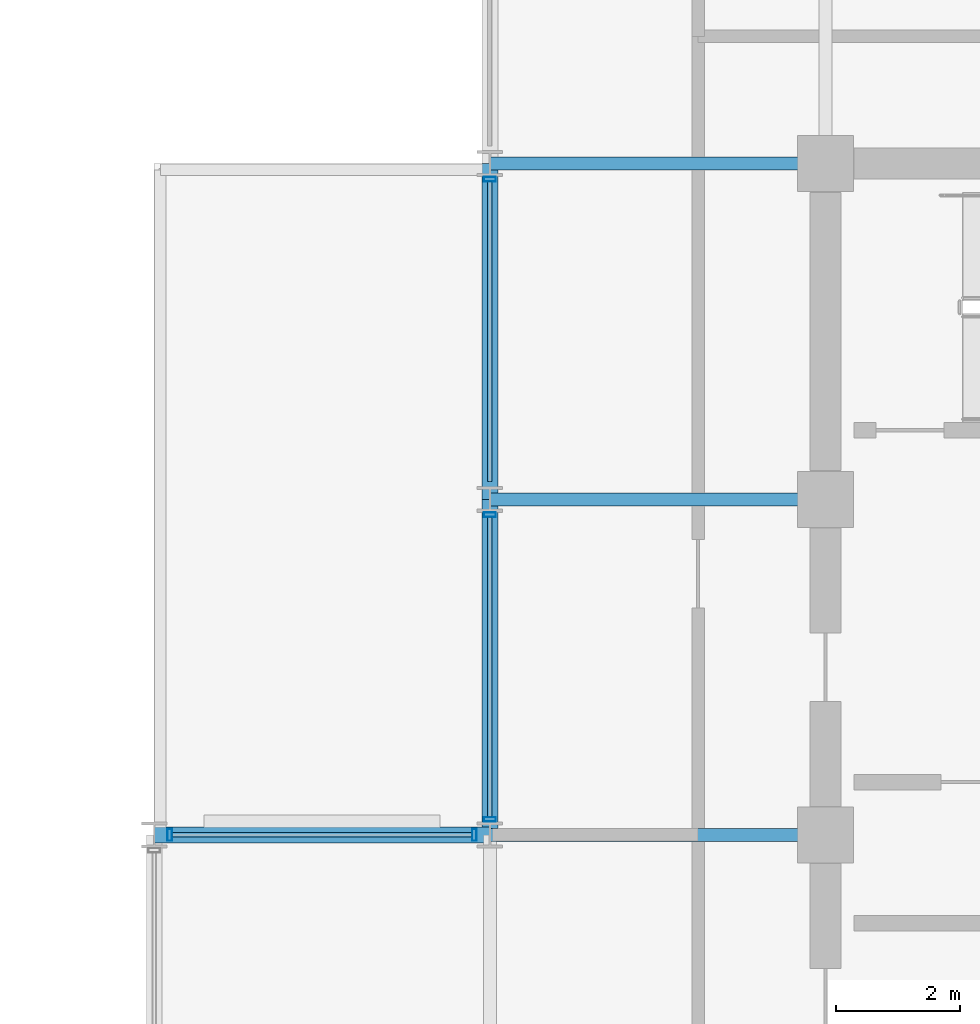
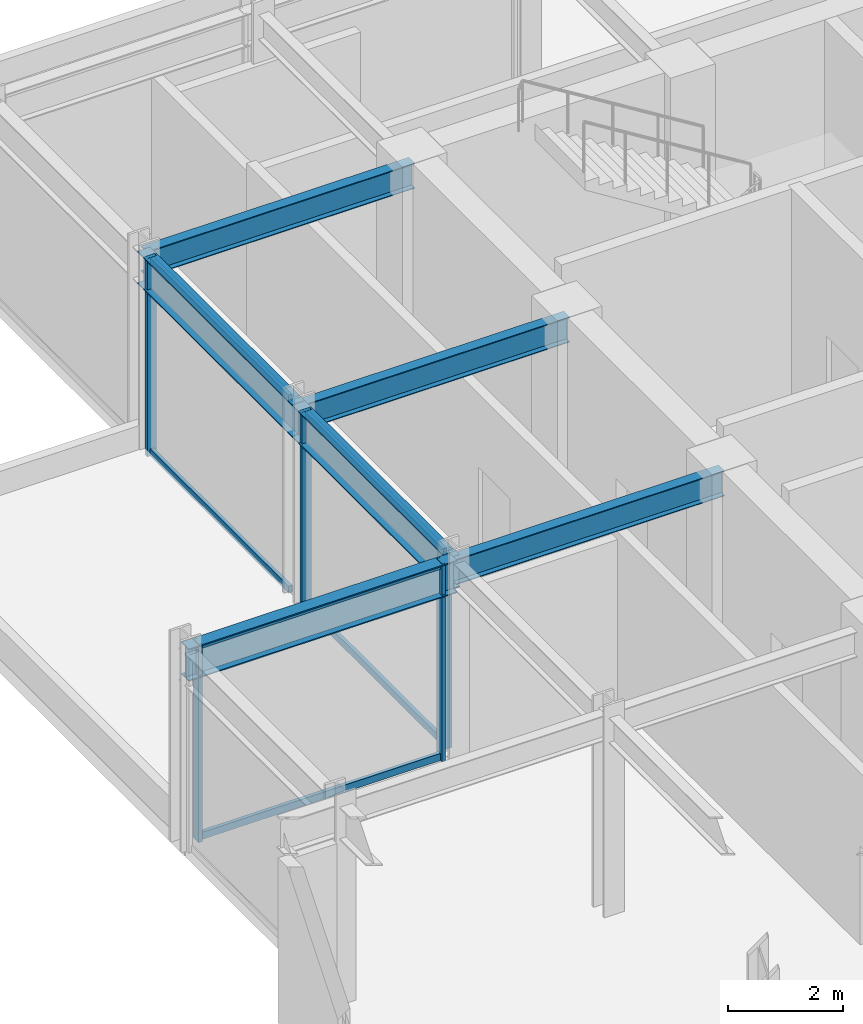
# One storey, part 6 of 21: 11 members, 6 beams, 2 elements without a shape of their own.
"""IFC4 building model written with IfcOpenShell, lengths in metres."""

from ifc_helpers import new_model, si_unit, direction, frame, origin, origin_2d, place, context, subcontext, project, spatial, hollow_rectangle, i_section, extrude, material, layer, layer_set, material_profile, profile_set, type_object, element, aggregate, save


model = new_model("IFC4")

# Units and contexts
model_context = context("Model", 3, precision=1e-05, world=origin(), true_north=direction((0.0, 1.0)))
body_context = subcontext(model_context, "Body", "Model", "MODEL_VIEW")
ifc_project = project(units=[si_unit("LENGTHUNIT", "METRE"), si_unit("AREAUNIT", "SQUARE_METRE"), si_unit("VOLUMEUNIT", "CUBIC_METRE"), si_unit("PLANEANGLEUNIT", "RADIAN"), si_unit("MASSUNIT", "GRAM", prefix="KILO")], contexts=[model_context])

# Site, building, storey
site_placement = place(None, origin())
site = spatial("IfcSite", under=ifc_project, at=site_placement, CompositionType="ELEMENT")
building_placement = place(site_placement, origin())
building = spatial("IfcBuilding", under=site, at=building_placement, Name="Surkhivell Harbour Commons", CompositionType="ELEMENT")
storey_placement = place(building_placement, frame((0.0, 0.0, 346.5)))
storey = spatial("IfcBuildingStorey", under=building, at=storey_placement, Name="L90", CompositionType="ELEMENT", Elevation=346.5)

# Beams
ifc_material_1 = material(Name="Steel S355", Category="steel")
ifc_material_profile_1 = material_profile(ifc_material_1, i_section(OverallWidth=0.2099609375, OverallDepth=0.537109375, WebThickness=0.0107421875, FlangeThickness=0.017333984375, at=origin_2d()), Name="UB533x210x101")
ifc_profile_set_1 = profile_set([ifc_material_profile_1], Name="Steel S355")
beam_type_1 = type_object("IfcBeamType", Name="BM-GRD-533B", PredefinedType="BEAM", material=ifc_profile_set_1)
for number, where, z_axis, x_axis, name in (
    (1, (-16.199951171875, 0.0, 3.951416015625), (1.0, 0.0, 0.0), (0.0, 1.0, 0.0), "L90 Floor Girder (-16.2,0.0)"),
    (2, (-16.199951171875, 5.39990234375, 3.951416015625), (1.0, 0.0, 0.0), (0.0, 1.0, 0.0), "L90 Floor Girder (-16.2,5.4)"),
    (3, (-16.199951171875, 10.800048828125, 3.951416015625), (1.0, 0.0, 0.0), (0.0, 1.0, 0.0), "L90 Floor Girder (-16.2,10.8)"),
):
    element("IfcBeam", number, at=place(storey_placement, frame(where, z_axis=z_axis, x_axis=x_axis)), inside=storey, type_object=beam_type_1, Name=name, PredefinedType="BEAM", context=body_context, shape_type="SweptSolid", body=[
        extrude(i_section(OverallWidth=0.2099609375, OverallDepth=0.537109375, WebThickness=0.0107421875, FlangeThickness=0.017333984375, at=origin_2d()), origin(), (0.0, 0.0, 1.0), 5.39990234375),
    ])
ifc_material_profile_2 = material_profile(ifc_material_1, i_section(OverallWidth=0.256103515625, OverallDepth=0.693115234375, WebThickness=0.014404296875, FlangeThickness=0.023681640625, at=origin_2d()), Name="UB686x254x170")
ifc_profile_set_2 = profile_set([ifc_material_profile_2], Name="Steel S355")
beam_type_2 = type_object("IfcBeamType", Name="BM-SPN-686", PredefinedType="SPANDREL", material=ifc_profile_set_2)
beam_1_placement = place(storey_placement, frame((-21.60009765625, 0.0, 3.87353515625), z_axis=(1.0, 0.0, 0.0), x_axis=(0.0, 1.0, 0.0)))
element("IfcBeam", 4, at=beam_1_placement, inside=storey, type_object=beam_type_2, Name="L90 Tube Spandrel (-21.6,0.0)", PredefinedType="SPANDREL", context=body_context, shape_type="SweptSolid", body=[
    extrude(i_section(OverallWidth=0.256103515625, OverallDepth=0.693115234375, WebThickness=0.014404296875, FlangeThickness=0.023681640625, at=origin_2d()), origin(), (0.0, 0.0, 1.0), 5.400146484375),
])
beam_2_placement = place(storey_placement, frame((-16.199951171875, 0.0, 3.87353515625), z_axis=(0.0, 1.0, 0.0), x_axis=(-1.0, 0.0, 0.0)))
element("IfcBeam", 5, at=beam_2_placement, inside=storey, type_object=beam_type_2, Name="L90 Tube Spandrel (-16.2,0.0)", PredefinedType="SPANDREL", context=body_context, shape_type="SweptSolid", body=[
    extrude(i_section(OverallWidth=0.256103515625, OverallDepth=0.693115234375, WebThickness=0.014404296875, FlangeThickness=0.023681640625, at=origin_2d()), origin(), (0.0, 0.0, 1.0), 5.39990234375),
])
beam_3_placement = place(storey_placement, frame((-16.199951171875, 5.39990234375, 3.87353515625), z_axis=(0.0, 1.0, 0.0), x_axis=(-1.0, 0.0, 0.0)))
element("IfcBeam", 6, at=beam_3_placement, inside=storey, type_object=beam_type_2, Name="L90 Tube Spandrel (-16.2,5.4)", PredefinedType="SPANDREL", context=body_context, shape_type="SweptSolid", body=[
    extrude(i_section(OverallWidth=0.256103515625, OverallDepth=0.693115234375, WebThickness=0.014404296875, FlangeThickness=0.023681640625, at=origin_2d()), origin(), (0.0, 0.0, 1.0), 5.400146484375),
])

# Curtain wall, members
ifc_material_2 = material(Name="Anodised pale-metal aluminium and insulated glazing", Category="aluminium")
ifc_layer = layer(ifc_material_2, 0.22998046875)
ifc_layer_set = layer_set([ifc_layer], Name="Anodised pale-metal aluminium and insulated glazing")
curtain_wall_type = type_object("IfcCurtainWallType", Name="CW-SYS-CRN", PredefinedType="NOTDEFINED", material=ifc_layer_set)
curtain_wall_1_placement = place(storey_placement, origin())
curtain_wall_1 = element("IfcCurtainWall", 7, at=curtain_wall_1_placement, inside=storey, type_object=curtain_wall_type, Name="L90 Curtain Wall CW-L90-C02S1", PredefinedType="NOTDEFINED")
ifc_material_3 = material(Name="Anodised pale-metal aluminium alloy 6063-T6", Category="aluminium")
ifc_material_profile_3 = material_profile(ifc_material_3, hollow_rectangle(XDim=0.074951171875, YDim=0.18994140625, WallThickness=0.00390625, at=origin_2d()), Name="ALU-MULL-75x190")
ifc_profile_set_3 = profile_set([ifc_material_profile_3], Name="Anodised pale-metal aluminium alloy 6063-T6")
member_type_1 = type_object("IfcMemberType", Name="CWM-190", PredefinedType="MULLION", material=ifc_profile_set_3)
member_1_placement = place(storey_placement, frame((-16.199951171875, 10.550537109375, 0.0), z_axis=(0.0, 0.0, 1.0), x_axis=(0.0, -1.0, 0.0)))
member_1 = element("IfcMember", 8, at=member_1_placement, type_object=member_type_1, Name="CW-CRN mullion 2", PredefinedType="MULLION", context=body_context, shape_type="SweptSolid", body=[
    extrude(hollow_rectangle(XDim=0.074951171875, YDim=0.18994140625, WallThickness=0.00390625, at=origin_2d()), origin(), (0.0, 0.0, 1.0), 4.219970703125),
])
member_2_placement = place(storey_placement, frame((-16.199951171875, 5.150390625, 0.0), z_axis=(0.0, 0.0, 1.0), x_axis=(0.0, -1.0, 0.0)))
member_2 = element("IfcMember", 9, at=member_2_placement, type_object=member_type_1, Name="CW-CRN mullion 3", PredefinedType="MULLION", context=body_context, shape_type="SweptSolid", body=[
    extrude(hollow_rectangle(XDim=0.074951171875, YDim=0.18994140625, WallThickness=0.00390625, at=origin_2d()), origin(), (0.0, 0.0, 1.0), 4.219970703125),
])
member_3_placement = place(storey_placement, frame((-16.199951171875, 0.24951171875, 0.0), z_axis=(0.0, 0.0, 1.0), x_axis=(0.0, -1.0, 0.0)))
member_3 = element("IfcMember", 10, at=member_3_placement, type_object=member_type_1, Name="CW-CRN mullion 4", PredefinedType="MULLION", context=body_context, shape_type="SweptSolid", body=[
    extrude(hollow_rectangle(XDim=0.074951171875, YDim=0.18994140625, WallThickness=0.00390625, at=origin_2d()), origin(), (0.0, 0.0, 1.0), 4.219970703125),
])

curtain_wall_2_placement = place(storey_placement, origin())
curtain_wall_2 = element("IfcCurtainWall", 11, at=curtain_wall_2_placement, inside=storey, type_object=curtain_wall_type, Name="L90 Curtain Wall CW-L90-C03", PredefinedType="NOTDEFINED")
member_4_placement = place(storey_placement, frame((-16.449462890625, 0.0, 0.0), z_axis=(0.0, 0.0, 1.0), x_axis=(-1.0, 0.0, 0.0)))
member_4 = element("IfcMember", 12, at=member_4_placement, type_object=member_type_1, Name="CW-CRN mullion 1", PredefinedType="MULLION", context=body_context, shape_type="SweptSolid", body=[
    extrude(hollow_rectangle(XDim=0.074951171875, YDim=0.18994140625, WallThickness=0.00390625, at=origin_2d()), origin(), (0.0, 0.0, 1.0), 4.219970703125),
])
member_5_placement = place(storey_placement, frame((-21.3505859375, 0.0, 0.0), z_axis=(0.0, 0.0, 1.0), x_axis=(-1.0, 0.0, 0.0)))
member_5 = element("IfcMember", 13, at=member_5_placement, type_object=member_type_1, Name="CW-CRN mullion 2", PredefinedType="MULLION", context=body_context, shape_type="SweptSolid", body=[
    extrude(hollow_rectangle(XDim=0.074951171875, YDim=0.18994140625, WallThickness=0.00390625, at=origin_2d()), origin(), (0.0, 0.0, 1.0), 4.219970703125),
])

# Member
ifc_material_profile_4 = material_profile(ifc_material_3, hollow_rectangle(XDim=0.074951171875, YDim=0.14990234375, WallThickness=0.00341796875, at=origin_2d()), Name="ALU-TRAN-75x150")
ifc_profile_set_4 = profile_set([ifc_material_profile_4], Name="Anodised pale-metal aluminium alloy 6063-T6")
member_type_2 = type_object("IfcMemberType", Name="CWT-150", PredefinedType="USERDEFINED", material=ifc_profile_set_4)
member_6_placement = place(storey_placement, frame((-16.199951171875, 10.512939453125, 0.074951171875), z_axis=(0.0, -1.0, 0.0), x_axis=(1.0, 0.0, 0.0)))
member_6 = element("IfcMember", 14, at=member_6_placement, type_object=member_type_2, Name="CW-CRN transom 2.1", ObjectType="TRANSOM", PredefinedType="USERDEFINED", context=body_context, shape_type="SweptSolid", body=[
    extrude(hollow_rectangle(XDim=0.074951171875, YDim=0.14990234375, WallThickness=0.00341796875, at=origin_2d()), origin(), (0.0, 0.0, 1.0), 4.825927734375),
])

member_7_placement = place(storey_placement, frame((-16.199951171875, 10.512939453125, 4.14501953125), z_axis=(0.0, -1.0, 0.0), x_axis=(1.0, 0.0, 0.0)))
member_7 = element("IfcMember", 15, at=member_7_placement, type_object=member_type_2, Name="CW-CRN transom 2.2", ObjectType="TRANSOM", PredefinedType="USERDEFINED", context=body_context, shape_type="SweptSolid", body=[
    extrude(hollow_rectangle(XDim=0.074951171875, YDim=0.14990234375, WallThickness=0.00341796875, at=origin_2d()), origin(), (0.0, 0.0, 1.0), 4.825927734375),
])

member_8_placement = place(storey_placement, frame((-16.199951171875, 5.113037109375, 0.074951171875), z_axis=(0.0, -1.0, 0.0), x_axis=(1.0, 0.0, 0.0)))
member_8 = element("IfcMember", 16, at=member_8_placement, type_object=member_type_2, Name="CW-CRN transom 3.1", ObjectType="TRANSOM", PredefinedType="USERDEFINED", context=body_context, shape_type="SweptSolid", body=[
    extrude(hollow_rectangle(XDim=0.074951171875, YDim=0.14990234375, WallThickness=0.00341796875, at=origin_2d()), origin(), (0.0, 0.0, 1.0), 4.825927734375),
])

member_9_placement = place(storey_placement, frame((-16.199951171875, 5.113037109375, 4.14501953125), z_axis=(0.0, -1.0, 0.0), x_axis=(1.0, 0.0, 0.0)))
member_9 = element("IfcMember", 17, at=member_9_placement, type_object=member_type_2, Name="CW-CRN transom 3.2", ObjectType="TRANSOM", PredefinedType="USERDEFINED", context=body_context, shape_type="SweptSolid", body=[
    extrude(hollow_rectangle(XDim=0.074951171875, YDim=0.14990234375, WallThickness=0.00341796875, at=origin_2d()), origin(), (0.0, 0.0, 1.0), 4.825927734375),
])

aggregate(curtain_wall_1, [member_1, member_6, member_7, member_2, member_3, member_8, member_9])

member_10_placement = place(storey_placement, frame((-16.487060546875, 0.0, 0.074951171875), z_axis=(-1.0, 0.0, 0.0), x_axis=(0.0, -1.0, 0.0)))
member_10 = element("IfcMember", 18, at=member_10_placement, type_object=member_type_2, Name="CW-CRN transom 1.1", ObjectType="TRANSOM", PredefinedType="USERDEFINED", context=body_context, shape_type="SweptSolid", body=[
    extrude(hollow_rectangle(XDim=0.074951171875, YDim=0.14990234375, WallThickness=0.00341796875, at=origin_2d()), origin(), (0.0, 0.0, 1.0), 4.825927734375),
])

member_11_placement = place(storey_placement, frame((-16.487060546875, 0.0, 4.14501953125), z_axis=(-1.0, 0.0, 0.0), x_axis=(0.0, -1.0, 0.0)))
member_11 = element("IfcMember", 19, at=member_11_placement, type_object=member_type_2, Name="CW-CRN transom 1.2", ObjectType="TRANSOM", PredefinedType="USERDEFINED", context=body_context, shape_type="SweptSolid", body=[
    extrude(hollow_rectangle(XDim=0.074951171875, YDim=0.14990234375, WallThickness=0.00341796875, at=origin_2d()), origin(), (0.0, 0.0, 1.0), 4.825927734375),
])

aggregate(curtain_wall_2, [member_4, member_5, member_10, member_11])

save(model, "model.ifc")
